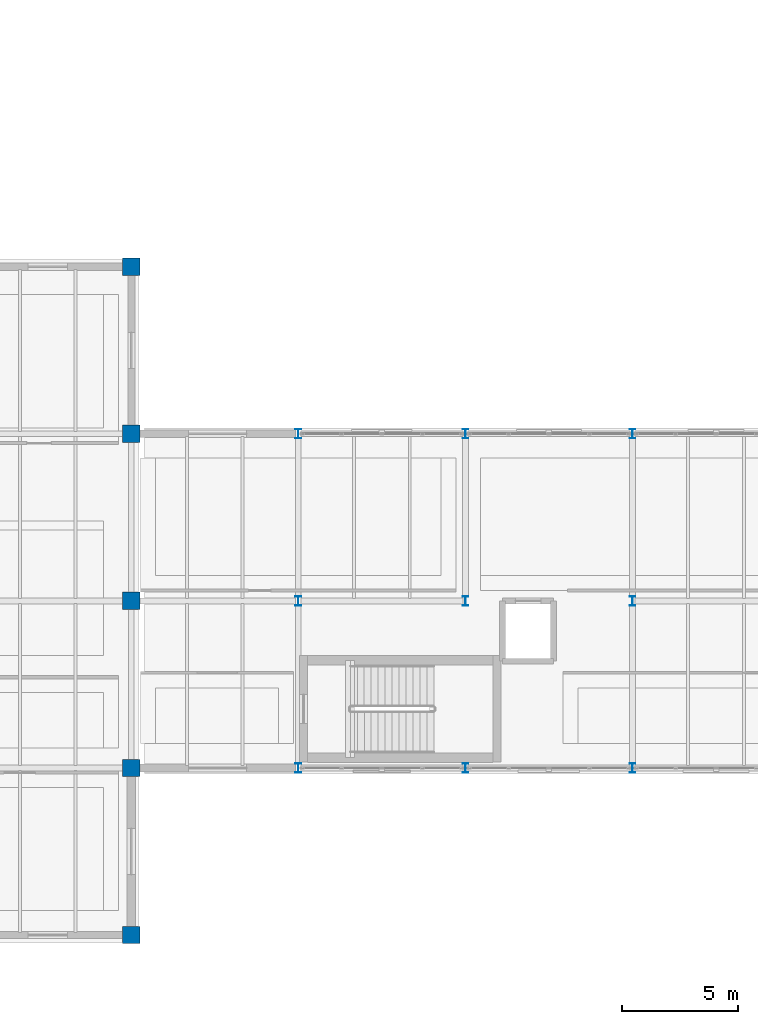
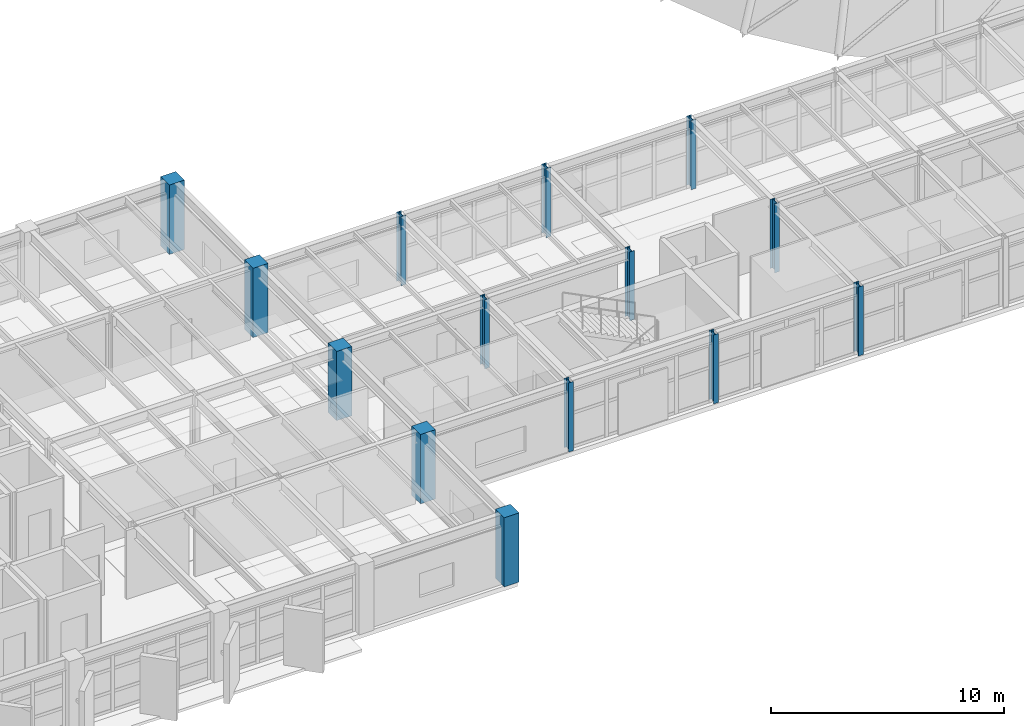
# One storey, part 3 of 48: 14 columns.
"""IFC4 building model written with IfcOpenShell, lengths in metres."""

from ifc_helpers import new_model, si_unit, direction, frame, origin, origin_2d, place, context, subcontext, project, spatial, rectangle, i_section, extrude, material, material_profile, profile_set, type_object, element, save


model = new_model("IFC4")

# Units and contexts
model_context = context("Model", 3, precision=1e-05, world=origin(), true_north=direction((0.0, 1.0)))
body_context = subcontext(model_context, "Body", "Model", "MODEL_VIEW")
ifc_project = project(units=[si_unit("LENGTHUNIT", "METRE"), si_unit("AREAUNIT", "SQUARE_METRE"), si_unit("VOLUMEUNIT", "CUBIC_METRE"), si_unit("PLANEANGLEUNIT", "RADIAN"), si_unit("MASSUNIT", "GRAM", prefix="KILO")], contexts=[model_context])

# Site, building, storey
site_placement = place(None, origin())
site = spatial("IfcSite", under=ifc_project, at=site_placement, CompositionType="ELEMENT")
building_placement = place(site_placement, origin())
building = spatial("IfcBuilding", under=site, at=building_placement, Name="Kandorven Conservatory and Botanical Research Centre", CompositionType="ELEMENT")
storey_placement = place(building_placement, frame((0.0, 0.0, 13.199951171875)))
storey = spatial("IfcBuildingStorey", under=building, at=storey_placement, Name="L03", CompositionType="ELEMENT", Elevation=13.199951171875)

# Columns
ifc_material_1 = material(Name="Steel S355 (IS 2062 E350)", Category="steel")
ifc_material_profile_1 = material_profile(ifc_material_1, i_section(OverallWidth=0.25, OverallDepth=0.39990234375, WebThickness=0.010498046875, FlangeThickness=0.0126953125, at=origin_2d()))
ifc_profile_set_1 = profile_set([ifc_material_profile_1], Name="Steel S355 (IS 2062 E350)")
column_type_1 = type_object("IfcColumnType", Name="Col_SC-02", PredefinedType="COLUMN", material=ifc_profile_set_1)
for number, where, z_axis, x_axis, name in (
    (1, (49.199951171875, 13.199951171875, 0.0), (0.0, 0.0, 1.0), (1.0, 0.0, 0.0), "Column SC-02 VIS L03 (2,1)"),
    (2, (49.199951171875, 20.39990234375, 0.0), (0.0, 0.0, 1.0), (1.0, 0.0, 0.0), "Column SC-02 VIS L03 (2,2)"),
    (3, (49.199951171875, 27.60009765625, 0.0), (0.0, 0.0, 1.0), (1.0, 0.0, 0.0), "Column SC-02 VIS L03 (2,3)"),
    (4, (56.39990234375, 13.199951171875, 0.0), (0.0, 0.0, 1.0), (1.0, 0.0, 0.0), "Column SC-02 VIS L03 (3,1)"),
    (5, (56.39990234375, 20.39990234375, 0.0), (0.0, 0.0, 1.0), (1.0, 0.0, 0.0), "Column SC-02 VIS L03 (3,2)"),
    (6, (56.39990234375, 27.60009765625, 0.0), (0.0, 0.0, 1.0), (1.0, 0.0, 0.0), "Column SC-02 VIS L03 (3,3)"),
    (7, (63.60009765625, 13.199951171875, 0.0), (0.0, 0.0, 1.0), (1.0, 0.0, 0.0), "Column SC-02 VIS L03 (4,1)"),
    (8, (63.60009765625, 20.39990234375, 0.0), (0.0, 0.0, 1.0), (1.0, 0.0, 0.0), "Column SC-02 VIS L03 (4,2)"),
    (9, (63.60009765625, 27.60009765625, 0.0), (0.0, 0.0, 1.0), (1.0, 0.0, 0.0), "Column SC-02 VIS L03 (4,3)"),
):
    element("IfcColumn", number, at=place(storey_placement, frame(where, z_axis=z_axis, x_axis=x_axis)), inside=storey, type_object=column_type_1, Name=name, PredefinedType="COLUMN", context=body_context, shape_type="SweptSolid", body=[
        extrude(i_section(OverallWidth=0.25, OverallDepth=0.39990234375, WebThickness=0.010498046875, FlangeThickness=0.0126953125, at=origin_2d()), origin(), (0.0, 0.0, 1.0), 3.625),
    ])
ifc_material_2 = material(Name="Concrete C40/50 (M50)", Category="concrete")
ifc_material_profile_2 = material_profile(ifc_material_2, rectangle(XDim=0.75, YDim=0.75, at=origin_2d()))
ifc_profile_set_2 = profile_set([ifc_material_profile_2], Name="Concrete C40/50 (M50)")
column_type_2 = type_object("IfcColumnType", Name="Col_TC-03", PredefinedType="COLUMN", material=ifc_profile_set_2)
for number, where, z_axis, x_axis, name in (
    (10, (42.0, 6.0, 0.0), (0.0, 0.0, 1.0), (1.0, 0.0, 0.0), "Column TC-03 TWR L03 (6,1)"),
    (11, (42.0, 13.199951171875, 0.0), (0.0, 0.0, 1.0), (1.0, 0.0, 0.0), "Column TC-03 TWR L03 (6,2)"),
    (12, (42.0, 20.39990234375, 0.0), (0.0, 0.0, 1.0), (1.0, 0.0, 0.0), "Column TC-03 TWR L03 (6,3)"),
    (13, (42.0, 27.60009765625, 0.0), (0.0, 0.0, 1.0), (1.0, 0.0, 0.0), "Column TC-03 TWR L03 (6,4)"),
    (14, (42.0, 34.800048828125, 0.0), (0.0, 0.0, 1.0), (1.0, 0.0, 0.0), "Column TC-03 TWR L03 (6,5)"),
):
    element("IfcColumn", number, at=place(storey_placement, frame(where, z_axis=z_axis, x_axis=x_axis)), inside=storey, type_object=column_type_2, Name=name, PredefinedType="COLUMN", context=body_context, shape_type="SweptSolid", body=[
        extrude(rectangle(XDim=0.75, YDim=0.75, at=origin_2d()), origin(), (0.0, 0.0, 1.0), 3.635009765625),
    ])

save(model, "model.ifc")
